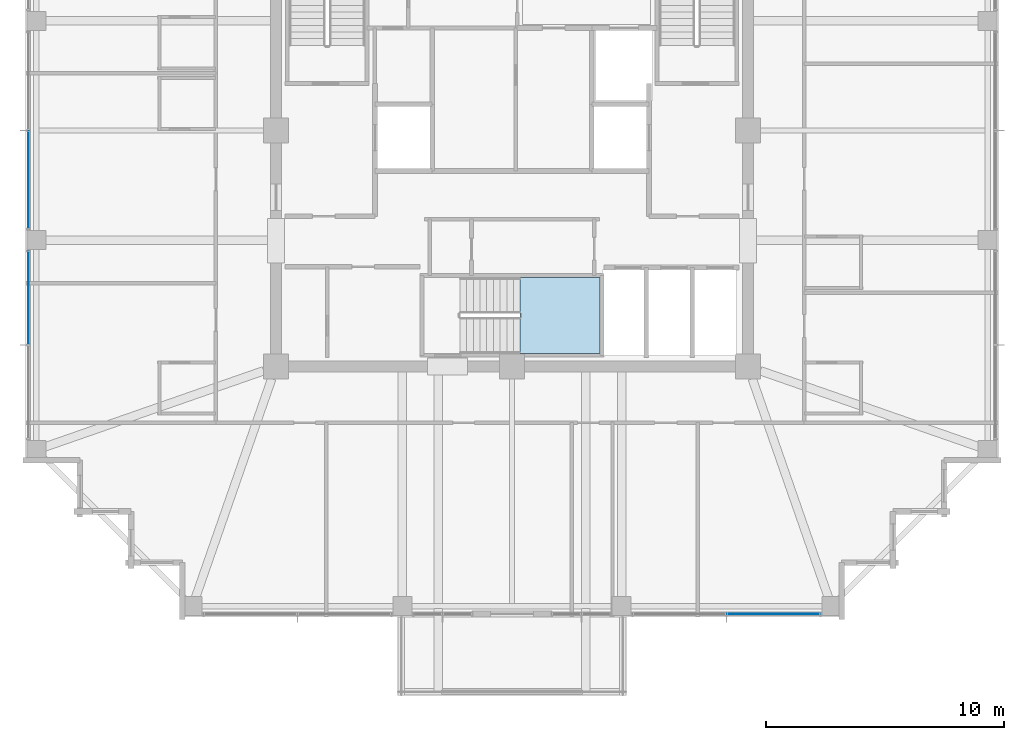
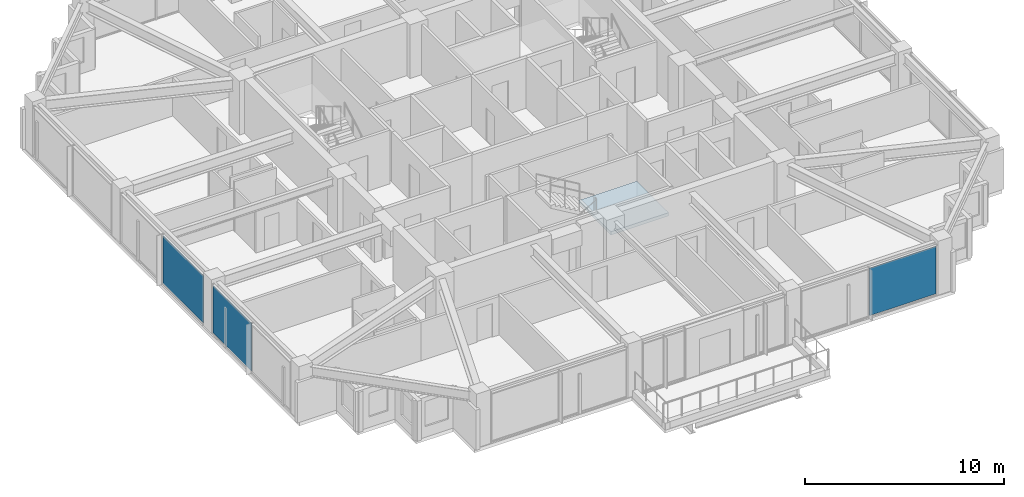
# One storey, part 24 of 36: 3 plates, 1 slab, 4 elements without a shape of their own.
"""IFC4 building model written with IfcOpenShell, lengths in metres."""

from ifc_helpers import new_model, si_unit, direction, frame, origin, origin_2d, place, context, subcontext, project, spatial, polyline, rectangle, outline, extrude, material, layer, layer_set, type_object, element, aggregate, save


model = new_model("IFC4")

# Units and contexts
model_context = context("Model", 3, precision=1e-05, world=origin(), true_north=direction((0.0, 1.0)))
body_context = subcontext(model_context, "Body", "Model", "MODEL_VIEW")
ifc_project = project(units=[si_unit("LENGTHUNIT", "METRE"), si_unit("AREAUNIT", "SQUARE_METRE"), si_unit("VOLUMEUNIT", "CUBIC_METRE"), si_unit("PLANEANGLEUNIT", "RADIAN"), si_unit("MASSUNIT", "GRAM", prefix="KILO")], contexts=[model_context])

# Site, building, storey
site_placement = place(None, origin())
site = spatial("IfcSite", under=ifc_project, at=site_placement, CompositionType="ELEMENT")
building_placement = place(site_placement, origin())
building = spatial("IfcBuilding", under=site, at=building_placement, Name="Kolvaren Belvedere", CompositionType="ELEMENT")
storey_placement = place(building_placement, frame((0.0, 0.0, 226.199951171875)))
storey = spatial("IfcBuildingStorey", under=building, at=storey_placement, Name="L66", CompositionType="ELEMENT", Elevation=226.199951171875)

# Curtain wall, plate
ifc_material_1 = material(Name="Anodised pale-metal aluminium AA 6063-T6", Category="aluminium")
curtain_wall_type = type_object("IfcCurtainWallType", Name="CW-Z5-HIGH", PredefinedType="NOTDEFINED", material=ifc_material_1)
curtain_wall_1_placement = place(storey_placement, origin())
curtain_wall_1 = element("IfcCurtainWall", 1, at=curtain_wall_1_placement, inside=storey, type_object=curtain_wall_type, Name="L66 Unitised Curtain Wall FCW-L66-S1-B1", PredefinedType="NOTDEFINED")
ifc_material_2 = material(Name="Low-iron triple insulated glass", Category="glass")
ifc_layer_1 = layer(ifc_material_2, 0.028076171875)
ifc_layer_set_1 = layer_set([ifc_layer_1], Name="Low-iron triple insulated glass")
plate_type = type_object("IfcPlateType", Name="CW-PNL-VIS28", PredefinedType="CURTAIN_PANEL", material=ifc_layer_set_1)
plate_1_placement = place(storey_placement, frame((10.972412109375, -20.280029296875, 0.080078125), z_axis=(0.0, 0.0, 1.0), x_axis=(-1.0, 0.0, 0.0)))
plate_1 = element("IfcPlate", 2, at=plate_1_placement, type_object=plate_type, Name="FCW-L66-S1-B1 Vision Glazing Panel 1", PredefinedType="CURTAIN_PANEL", context=body_context, shape_type="SweptSolid", body=[
    extrude(rectangle(XDim=3.864990234375, YDim=0.028076171875, at=origin_2d()), origin(), (0.0, 0.0, 1.0), 2.919921875),
])
aggregate(curtain_wall_1, [plate_1])

curtain_wall_2_placement = place(storey_placement, origin())
curtain_wall_2 = element("IfcCurtainWall", 3, at=curtain_wall_2_placement, inside=storey, type_object=curtain_wall_type, Name="L66 Unitised Curtain Wall FCW-L66-W-B1", PredefinedType="NOTDEFINED")
plate_2_placement = place(storey_placement, frame((-20.280029296875, -7.027587890625, 0.080078125), z_axis=(0.0, 0.0, 1.0), x_axis=(0.0, 1.0, 0.0)))
plate_2 = element("IfcPlate", 4, at=plate_2_placement, type_object=plate_type, Name="FCW-L66-W-B1 Vision Glazing Panel 2", PredefinedType="CURTAIN_PANEL", context=body_context, shape_type="SweptSolid", body=[
    extrude(rectangle(XDim=3.864990234375, YDim=0.028076171875, at=origin_2d()), origin(), (0.0, 0.0, 1.0), 2.919921875),
])
aggregate(curtain_wall_2, [plate_2])

curtain_wall_3_placement = place(storey_placement, origin())
curtain_wall_3 = element("IfcCurtainWall", 5, at=curtain_wall_3_placement, inside=storey, type_object=curtain_wall_type, Name="L66 Unitised Curtain Wall FCW-L66-W-B2", PredefinedType="NOTDEFINED")
plate_3_placement = place(storey_placement, frame((-20.280029296875, -2.072509765625, 0.080078125), z_axis=(0.0, 0.0, 1.0), x_axis=(0.0, 1.0, 0.0)))
plate_3 = element("IfcPlate", 6, at=plate_3_placement, type_object=plate_type, Name="FCW-L66-W-B2 Vision Glazing Panel 1", PredefinedType="CURTAIN_PANEL", context=body_context, shape_type="SweptSolid", body=[
    extrude(rectangle(XDim=4.06494140625, YDim=0.028076171875, at=origin_2d()), origin(), (0.0, 0.0, 1.0), 2.919921875),
])
aggregate(curtain_wall_3, [plate_3])

# Stair, slab
ifc_material_3 = material(Name="Concrete C50/60", Category="concrete")
stair_type = type_object("IfcStairType", Name="ST-CORE-1520", PredefinedType="HALF_TURN_STAIR", material=ifc_material_3)
stair_placement = place(storey_placement, origin())
stair = element("IfcStair", 7, at=stair_placement, inside=storey, type_object=stair_type, Name="L66 Protected Exit Stair ST-3", PredefinedType="HALF_TURN_STAIR")
ifc_material_4 = material(Name="Concrete C50/60", Category="concrete")
ifc_layer_2 = layer(ifc_material_4, 0.260009765625)
ifc_layer_set_2 = layer_set([ifc_layer_2], Name="Concrete C50/60")
slab_type = type_object("IfcSlabType", Name="SL-LAND-260", PredefinedType="LANDING", material=ifc_layer_set_2)
slab_placement = place(storey_placement, frame((0.0, 0.0, 1.449951171875)))
slab = element("IfcSlab", 8, at=slab_placement, type_object=slab_type, Name="ST-3 landing 1", PredefinedType="LANDING", context=body_context, shape_type="SweptSolid", body=[
    extrude(outline(polyline([(0.340087890625, -9.35009765625), (3.699951171875, -9.35009765625), (3.699951171875, -6.159912109375), (0.340087890625, -6.159912109375), (0.340087890625, -9.35009765625)])), origin(), (0.0, 0.0, 1.0), 0.2001953125),
])
aggregate(stair, [slab])

save(model, "model.ifc")
